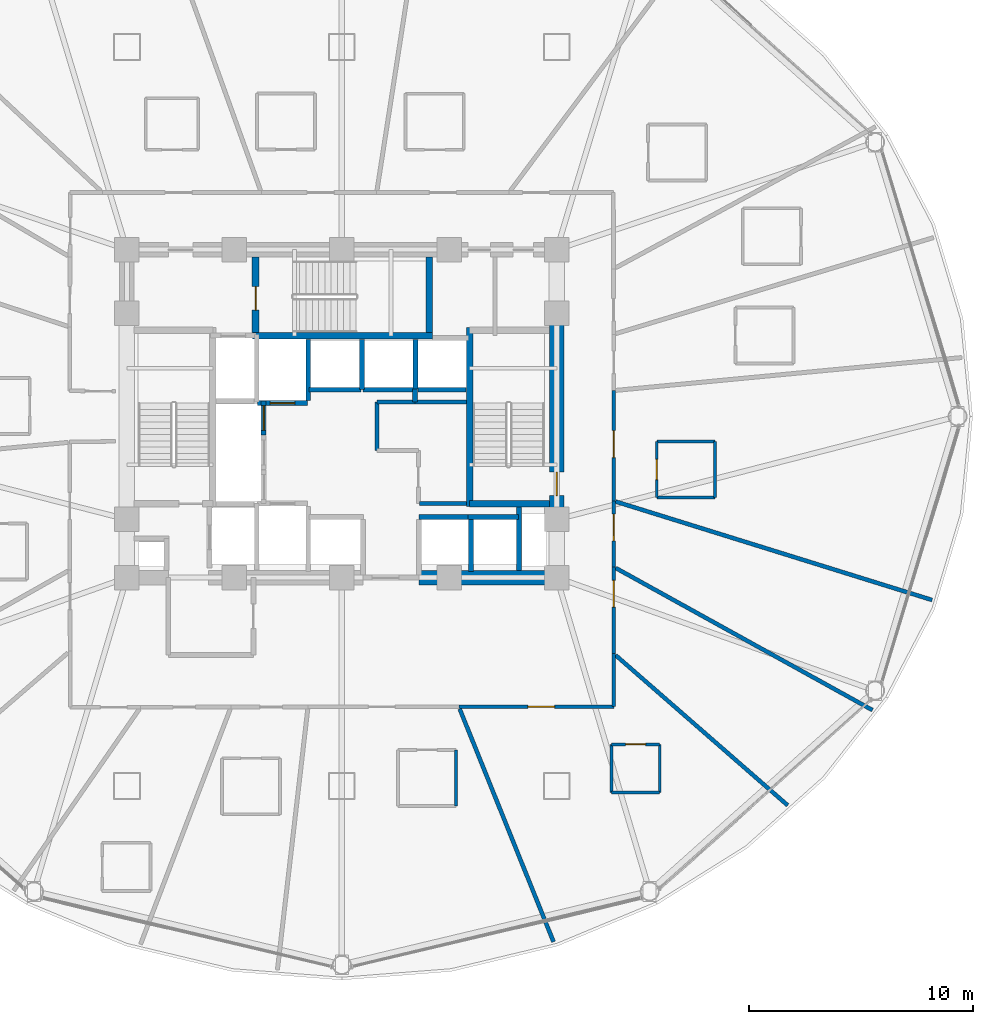
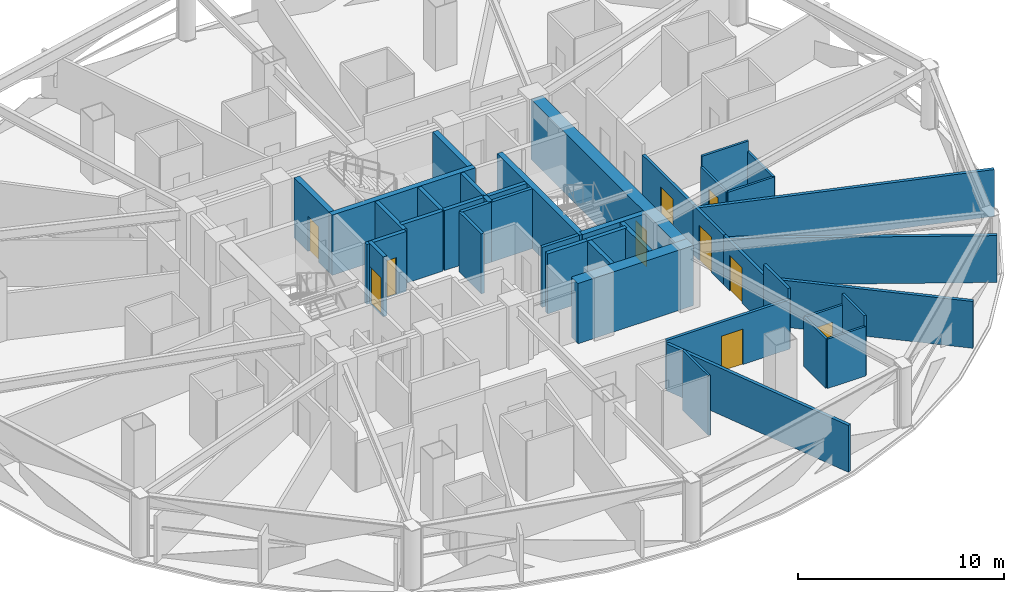
# One storey, part 23 of 30: 42 walls, 10 doors, 10 openings.
"""IFC4 building model written with IfcOpenShell, lengths in metres."""

from ifc_helpers import new_model, si_unit, direction, frame, frame_2d, origin, place, context, subcontext, project, spatial, rectangle, extrude, material, layer, layer_set, type_object, element, fill, save


model = new_model("IFC4")

# Units and contexts
model_context = context("Model", 3, precision=1e-05, world=origin(), true_north=direction((0.0, 1.0)))
body_context = subcontext(model_context, "Body", "Model", "MODEL_VIEW")
ifc_project = project(units=[si_unit("LENGTHUNIT", "METRE"), si_unit("AREAUNIT", "SQUARE_METRE"), si_unit("VOLUMEUNIT", "CUBIC_METRE"), si_unit("PLANEANGLEUNIT", "RADIAN"), si_unit("MASSUNIT", "GRAM", prefix="KILO")], contexts=[model_context])

# Site, building, storey
site_placement = place(None, origin())
site = spatial("IfcSite", under=ifc_project, at=site_placement, CompositionType="ELEMENT")
building_placement = place(site_placement, origin())
building = spatial("IfcBuilding", under=site, at=building_placement, Name="Vantalir Tower", CompositionType="ELEMENT")
storey_placement = place(building_placement, frame((0.0, 0.0, 83.25)))
storey = spatial("IfcBuildingStorey", under=building, at=storey_placement, Name="L20", CompositionType="ELEMENT", Elevation=83.25)

# Walls
ifc_material_1 = material(Name="Moisture-resistant en-suite partition", Category="gypsum")
ifc_layer_1 = layer(ifc_material_1, 0.125)
ifc_layer_set_1 = layer_set([ifc_layer_1], Name="Moisture-resistant en-suite partition")
wall_type_1 = type_object("IfcWallType", Name="WL-BATH-125", PredefinedType="PARTITIONING", material=ifc_layer_set_1)
wall_1_placement = place(storey_placement, frame((36.60302734375, 7.60595703125, 0.0), z_axis=(0.0, 0.0, 1.0), x_axis=(0.0, 1.0, 0.0)))
element("IfcWall", 1, at=wall_1_placement, inside=storey, type_object=wall_type_1, Name="L20 En-suite 15 East Wall", PredefinedType="PARTITIONING", context=body_context, shape_type="SweptSolid", body=[
    extrude(rectangle(XDim=2.5, YDim=0.125, at=frame_2d((1.25, 0.0))), origin(), (0.0, 0.0, 1.0), 3.550048828125),
])
wall_2_placement = place(storey_placement, frame((43.544921875, 8.201904296875, 0.0), z_axis=(0.0, 0.0, 1.0), x_axis=(1.0, 0.0, 0.0)))
element("IfcWall", 2, at=wall_2_placement, inside=storey, type_object=wall_type_1, Name="L20 En-suite 16 South Wall", PredefinedType="PARTITIONING", context=body_context, shape_type="SweptSolid", body=[
    extrude(rectangle(XDim=2.150146484375, YDim=0.125, at=frame_2d((1.0751953125, 0.0))), origin(), (0.0, 0.0, 1.0), 2.927978515625),
])

# Wall, opening, door
wall_3_placement = place(storey_placement, frame((43.544921875, 10.35205078125, 0.0), z_axis=(0.0, 0.0, 1.0), x_axis=(1.0, 0.0, 0.0)))
wall_3 = element("IfcWall", 3, at=wall_3_placement, inside=storey, type_object=wall_type_1, Name="L20 En-suite 16 North Wall", PredefinedType="PARTITIONING", context=body_context, shape_type="SweptSolid", body=[
    extrude(rectangle(XDim=2.150146484375, YDim=0.125, at=frame_2d((1.0751953125, 0.0))), origin(), (0.0, 0.0, 1.0), 2.927978515625),
])
opening_1_placement = place(wall_3_placement, frame((0.625, 0.0, 0.0)))
opening_1 = element("IfcOpeningElement", 4, at=opening_1_placement, cuts=wall_3, Name="Opening D-WC", PredefinedType="OPENING", context=body_context, shape_type="SweptSolid", body=[
    extrude(rectangle(XDim=0.89990234375, YDim=2.10009765625, at=frame_2d((0.449951171875, 1.050048828125))), frame((0.0, 0.072509765625, 0.0), z_axis=(0.0, -1.0, 0.0), x_axis=(1.0, 0.0, 0.0)), (0.0, 0.0, 1.0), 0.14501953125),
])
ifc_material_2 = material(Name="Moisture-resistant hardwood door", Category="wood")
door_type_1 = type_object("IfcDoorType", Name="DR-ENSUITE-900", OperationType="NOTDEFINED", PredefinedType="DOOR", material=ifc_material_2)
door_1_placement = place(opening_1_placement, frame((0.89990234375, 0.0, 0.0), z_axis=(0.0, 0.0, 1.0), x_axis=(-1.0, 0.0, 0.0)))
door_1 = element("IfcDoor", 5, at=door_1_placement, inside=storey, type_object=door_type_1, Name="L20 En-suite 16 Door", OperationType="SINGLE_SWING_LEFT", OverallHeight=2.10009765625, OverallWidth=0.89990234375, PredefinedType="DOOR", context=body_context, shape_type="SweptSolid", body=[
    extrude(rectangle(XDim=0.89990234375, YDim=2.10009765625, at=frame_2d((0.449951171875, 1.050048828125))), frame((0.0, 0.02490234375, 0.0), z_axis=(0.0, -1.0, 0.0), x_axis=(1.0, 0.0, 0.0)), (0.0, 0.0, 1.0), 0.050048828125),
])
fill(opening_1, door_1)

# Walls
wall_4_placement = place(storey_placement, frame((43.544921875, 8.201904296875, 0.0), z_axis=(0.0, 0.0, 1.0), x_axis=(0.0, 1.0, 0.0)))
element("IfcWall", 6, at=wall_4_placement, inside=storey, type_object=wall_type_1, Name="L20 En-suite 16 West Wall", PredefinedType="PARTITIONING", context=body_context, shape_type="SweptSolid", body=[
    extrude(rectangle(XDim=2.150146484375, YDim=0.125, at=frame_2d((1.0751953125, 0.0))), origin(), (0.0, 0.0, 1.0), 2.927978515625),
])
wall_5_placement = place(storey_placement, frame((45.695068359375, 8.201904296875, 0.0), z_axis=(0.0, 0.0, 1.0), x_axis=(0.0, 1.0, 0.0)))
element("IfcWall", 7, at=wall_5_placement, inside=storey, type_object=wall_type_1, Name="L20 En-suite 16 East Wall", PredefinedType="PARTITIONING", context=body_context, shape_type="SweptSolid", body=[
    extrude(rectangle(XDim=2.150146484375, YDim=0.125, at=frame_2d((1.0751953125, 0.0))), origin(), (0.0, 0.0, 1.0), 3.550048828125),
])
wall_6_placement = place(storey_placement, frame((45.56689453125, 21.3798828125, 0.0), z_axis=(0.0, 0.0, 1.0), x_axis=(1.0, 0.0, 0.0)))
element("IfcWall", 8, at=wall_6_placement, inside=storey, type_object=wall_type_1, Name="L20 En-suite 19 South Wall", PredefinedType="PARTITIONING", context=body_context, shape_type="SweptSolid", body=[
    extrude(rectangle(XDim=2.60009765625, YDim=0.125, at=frame_2d((1.300048828125, 0.0))), origin(), (0.0, 0.0, 1.0), 2.927978515625),
])
wall_7_placement = place(storey_placement, frame((45.56689453125, 23.8798828125, 0.0), z_axis=(0.0, 0.0, 1.0), x_axis=(1.0, 0.0, 0.0)))
element("IfcWall", 9, at=wall_7_placement, inside=storey, type_object=wall_type_1, Name="L20 En-suite 19 North Wall", PredefinedType="PARTITIONING", context=body_context, shape_type="SweptSolid", body=[
    extrude(rectangle(XDim=2.60009765625, YDim=0.125, at=frame_2d((1.300048828125, 0.0))), origin(), (0.0, 0.0, 1.0), 3.550048828125),
])

# Wall, opening, door
wall_8_placement = place(storey_placement, frame((45.56689453125, 21.3798828125, 0.0), z_axis=(0.0, 0.0, 1.0), x_axis=(0.0, 1.0, 0.0)))
wall_8 = element("IfcWall", 10, at=wall_8_placement, inside=storey, type_object=wall_type_1, Name="L20 En-suite 19 West Wall", PredefinedType="PARTITIONING", context=body_context, shape_type="SweptSolid", body=[
    extrude(rectangle(XDim=2.5, YDim=0.125, at=frame_2d((1.25, 0.0))), origin(), (0.0, 0.0, 1.0), 2.927978515625),
])
opening_2_placement = place(wall_8_placement, frame((0.800048828125, 0.0, 0.0)))
opening_2 = element("IfcOpeningElement", 11, at=opening_2_placement, cuts=wall_8, Name="Opening D-WC", PredefinedType="OPENING", context=body_context, shape_type="SweptSolid", body=[
    extrude(rectangle(XDim=0.89990234375, YDim=2.10009765625, at=frame_2d((0.449951171875, 1.050048828125))), frame((0.0, 0.072509765625, 0.0), z_axis=(0.0, -1.0, 0.0), x_axis=(1.0, 0.0, 0.0)), (0.0, 0.0, 1.0), 0.14501953125),
])
door_2_placement = place(opening_2_placement, frame((0.89990234375, 0.0, 0.0), z_axis=(0.0, 0.0, 1.0), x_axis=(-1.0, 0.0, 0.0)))
door_2 = element("IfcDoor", 12, at=door_2_placement, inside=storey, type_object=door_type_1, Name="L20 En-suite 19 Door", OperationType="SINGLE_SWING_RIGHT", OverallHeight=2.10009765625, OverallWidth=0.89990234375, PredefinedType="DOOR", context=body_context, shape_type="SweptSolid", body=[
    extrude(rectangle(XDim=0.89990234375, YDim=2.10009765625, at=frame_2d((0.449951171875, 1.050048828125))), frame((0.0, 0.02490234375, 0.0), z_axis=(0.0, -1.0, 0.0), x_axis=(1.0, 0.0, 0.0)), (0.0, 0.0, 1.0), 0.050048828125),
])
fill(opening_2, door_2)

# Walls
wall_9_placement = place(storey_placement, frame((48.1669921875, 21.3798828125, 0.0), z_axis=(0.0, 0.0, 1.0), x_axis=(0.0, 1.0, 0.0)))
element("IfcWall", 13, at=wall_9_placement, inside=storey, type_object=wall_type_1, Name="L20 En-suite 19 East Wall", PredefinedType="PARTITIONING", context=body_context, shape_type="SweptSolid", body=[
    extrude(rectangle(XDim=2.5, YDim=0.125, at=frame_2d((1.25, 0.0))), origin(), (0.0, 0.0, 1.0), 2.927978515625),
])
ifc_material_3 = material(Name="Concrete C60/75", Category="concrete")
ifc_layer_2 = layer(ifc_material_3, 0.64990234375)
ifc_layer_set_2 = layer_set([ifc_layer_2], Name="Concrete C60/75")
wall_type_2 = type_object("IfcWallType", Name="WL-CORE-650", PredefinedType="SHEAR", material=ifc_layer_set_2)
wall_10_placement = place(storey_placement, frame((34.949951171875, 17.800048828125, 0.0), z_axis=(0.0, 0.0, 1.0), x_axis=(1.0, 0.0, 0.0)))
element("IfcWall", 14, at=wall_10_placement, inside=storey, type_object=wall_type_2, Name="L20 Core Shear Wall South-East", PredefinedType="SHEAR", context=body_context, shape_type="SweptSolid", body=[
    extrude(rectangle(XDim=6.47509765625, YDim=0.64990234375, at=frame_2d((3.237548828125, 0.0))), origin(), (0.0, 0.0, 1.0), 3.570068359375),
])

# Wall, opening, door
wall_11_placement = place(storey_placement, frame((41.10009765625, 18.125, 0.0), z_axis=(0.0, 0.0, 1.0), x_axis=(0.0, 1.0, 0.0)))
wall_11 = element("IfcWall", 15, at=wall_11_placement, inside=storey, type_object=wall_type_2, Name="L20 Core Shear Wall East", PredefinedType="SHEAR", context=body_context, shape_type="SweptSolid", body=[
    extrude(rectangle(XDim=14.0, YDim=0.64990234375, at=frame_2d((7.0, 0.0))), origin(), (0.0, 0.0, 1.0), 3.570068359375),
])
opening_3_placement = place(wall_11_placement, frame((3.3349609375, 0.0, 0.0)))
opening_3 = element("IfcOpeningElement", 16, at=opening_3_placement, cuts=wall_11, Name="Opening D-ST", PredefinedType="OPENING", context=body_context, shape_type="SweptSolid", body=[
    extrude(rectangle(XDim=1.050048828125, YDim=2.10009765625, at=frame_2d((0.52490234375, 1.050048828125))), frame((0.0, 0.3349609375, 0.0), z_axis=(0.0, -1.0, 0.0), x_axis=(1.0, 0.0, 0.0)), (0.0, 0.0, 1.0), 0.669921875),
])
ifc_material_4 = material(Name="Fire-rated steel door leaf", Category="steel")
door_type_2 = type_object("IfcDoorType", Name="DR-FIRE-STAIR-1050", OperationType="NOTDEFINED", PredefinedType="DOOR", material=ifc_material_4)
door_3_placement = place(opening_3_placement, origin())
door_3 = element("IfcDoor", 17, at=door_3_placement, inside=storey, type_object=door_type_2, Name="L20 Exit Stair ST2 Fire Door", OperationType="SINGLE_SWING_LEFT", OverallHeight=2.10009765625, OverallWidth=1.050048828125, PredefinedType="DOOR", context=body_context, shape_type="SweptSolid", body=[
    extrude(rectangle(XDim=1.050048828125, YDim=2.10009765625, at=frame_2d((0.52490234375, 1.050048828125))), frame((0.0, 0.02490234375, 0.0), z_axis=(0.0, -1.0, 0.0), x_axis=(1.0, 0.0, 0.0)), (0.0, 0.0, 1.0), 0.050048828125),
])
fill(opening_3, door_3)

ifc_material_5 = material(Name="Fire-rated hotel corridor acoustic partition", Category="gypsum")
ifc_layer_3 = layer(ifc_material_5, 0.159912109375)
ifc_layer_set_3 = layer_set([ifc_layer_3], Name="Fire-rated hotel corridor acoustic partition")
wall_type_3 = type_object("IfcWallType", Name="WL-CORR-160", PredefinedType="PARTITIONING", material=ifc_layer_set_3)
wall_12_placement = place(storey_placement, frame((43.637939453125, 26.152099609375, 0.0), z_axis=(0.0, 0.0, 1.0), x_axis=(0.000644042472, -0.999999792605, 0.0)))
wall_12 = element("IfcWall", 18, at=wall_12_placement, inside=storey, type_object=wall_type_3, Name="L20 Corridor Partition 13", PredefinedType="PARTITIONING", context=body_context, shape_type="SweptSolid", body=[
    extrude(rectangle(XDim=4.927978515625, YDim=0.159912109375, at=frame_2d((2.4638671875, 0.0))), origin(), (0.0, 0.0, 1.0), 2.927978515625),
])
opening_4_placement = place(wall_12_placement, frame((1.7900390625, 0.0, 0.0)))
opening_4 = element("IfcOpeningElement", 19, at=opening_4_placement, cuts=wall_12, Name="Opening D-STE", PredefinedType="OPENING", context=body_context, shape_type="SweptSolid", body=[
    extrude(rectangle(XDim=1.199951171875, YDim=2.10009765625, at=frame_2d((0.60009765625, 1.050048828125))), frame((0.0, 0.08984375, 0.0), z_axis=(0.0, -1.0, 0.0), x_axis=(1.0, 0.0, 0.0)), (0.0, 0.0, 1.0), 0.179931640625),
])
ifc_material_6 = material(Name="Solid-core teak veneer suite entrance door", Category="wood")
door_type_3 = type_object("IfcDoorType", Name="DR-SUITE-ENTRY-1200", OperationType="NOTDEFINED", PredefinedType="DOOR", material=ifc_material_6)
door_4_placement = place(opening_4_placement, origin())
door_4 = element("IfcDoor", 20, at=door_4_placement, inside=storey, type_object=door_type_3, Name="L20 Executive Club Hotel Suite 19 Door", OperationType="SINGLE_SWING_RIGHT", OverallHeight=2.10009765625, OverallWidth=1.199951171875, PredefinedType="DOOR", context=body_context, shape_type="SweptSolid", body=[
    extrude(rectangle(XDim=1.199951171875, YDim=2.10009765625, at=frame_2d((0.60009765625, 1.050048828125))), frame((0.0, 0.02490234375, 0.0), z_axis=(0.0, -1.0, 0.0), x_axis=(1.0, 0.0, 0.0)), (0.0, 0.0, 1.0), 0.050048828125),
])
fill(opening_4, door_4)

wall_13_placement = place(storey_placement, frame((43.64111328125, 21.22412109375, 0.0), z_axis=(0.0, 0.0, 1.0), x_axis=(0.0006631848, -0.999999780093, 0.0)))
wall_13 = element("IfcWall", 21, at=wall_13_placement, inside=storey, type_object=wall_type_3, Name="L20 Corridor Partition 14", PredefinedType="PARTITIONING", context=body_context, shape_type="SweptSolid", body=[
    extrude(rectangle(XDim=2.945068359375, YDim=0.159912109375, at=frame_2d((1.47265625, 0.0))), origin(), (0.0, 0.0, 1.0), 2.927978515625),
])
opening_5_placement = place(wall_13_placement, frame((0.587890625, 0.0, 0.0)))
opening_5 = element("IfcOpeningElement", 22, at=opening_5_placement, cuts=wall_13, Name="Opening D-STE", PredefinedType="OPENING", context=body_context, shape_type="SweptSolid", body=[
    extrude(rectangle(XDim=1.199951171875, YDim=2.10009765625, at=frame_2d((0.60009765625, 1.050048828125))), frame((0.0, 0.08984375, 0.0), z_axis=(0.0, -1.0, 0.0), x_axis=(1.0, 0.0, 0.0)), (0.0, 0.0, 1.0), 0.179931640625),
])
door_5_placement = place(opening_5_placement, origin())
door_5 = element("IfcDoor", 23, at=door_5_placement, inside=storey, type_object=door_type_3, Name="L20 Executive Sky Boardroom 18 Door", OperationType="SINGLE_SWING_LEFT", OverallHeight=2.10009765625, OverallWidth=1.199951171875, PredefinedType="DOOR", context=body_context, shape_type="SweptSolid", body=[
    extrude(rectangle(XDim=1.199951171875, YDim=2.10009765625, at=frame_2d((0.60009765625, 1.050048828125))), frame((0.0, 0.02490234375, 0.0), z_axis=(0.0, -1.0, 0.0), x_axis=(1.0, 0.0, 0.0)), (0.0, 0.0, 1.0), 0.050048828125),
])
fill(opening_5, door_5)

wall_14_placement = place(storey_placement, frame((43.64306640625, 18.279052734375, 0.0), z_axis=(0.0, 0.0, 1.0), x_axis=(0.000756429436, -0.999999713907, 0.0)))
wall_14 = element("IfcWall", 24, at=wall_14_placement, inside=storey, type_object=wall_type_3, Name="L20 Corridor Partition 15", PredefinedType="PARTITIONING", context=body_context, shape_type="SweptSolid", body=[
    extrude(rectangle(XDim=3.873046875, YDim=0.159912109375, at=frame_2d((1.9365234375, 0.0))), origin(), (0.0, 0.0, 1.0), 2.927978515625),
])
opening_6_placement = place(wall_14_placement, frame((0.60107421875, 0.0, 0.0)))
opening_6 = element("IfcOpeningElement", 25, at=opening_6_placement, cuts=wall_14, Name="Opening D-STE", PredefinedType="OPENING", context=body_context, shape_type="SweptSolid", body=[
    extrude(rectangle(XDim=1.199951171875, YDim=2.10009765625, at=frame_2d((0.60009765625, 1.050048828125))), frame((0.0, 0.08984375, 0.0), z_axis=(0.0, -1.0, 0.0), x_axis=(1.0, 0.0, 0.0)), (0.0, 0.0, 1.0), 0.179931640625),
])
door_6_placement = place(opening_6_placement, origin())
door_6 = element("IfcDoor", 26, at=door_6_placement, inside=storey, type_object=door_type_3, Name="L20 Club Reading Lounge 17 Door", OperationType="SINGLE_SWING_RIGHT", OverallHeight=2.10009765625, OverallWidth=1.199951171875, PredefinedType="DOOR", context=body_context, shape_type="SweptSolid", body=[
    extrude(rectangle(XDim=1.199951171875, YDim=2.10009765625, at=frame_2d((0.60009765625, 1.050048828125))), frame((0.0, 0.02490234375, 0.0), z_axis=(0.0, -1.0, 0.0), x_axis=(1.0, 0.0, 0.0)), (0.0, 0.0, 1.0), 0.050048828125),
])
fill(opening_6, door_6)

# Wall
wall_15_placement = place(storey_placement, frame((43.64599609375, 14.406005859375, 0.0), z_axis=(0.0, 0.0, 1.0), x_axis=(0.00082338383, -0.999999661019, 0.0)))
element("IfcWall", 27, at=wall_15_placement, inside=storey, type_object=wall_type_3, Name="L20 Corridor Partition 16", PredefinedType="PARTITIONING", context=body_context, shape_type="SweptSolid", body=[
    extrude(rectangle(XDim=2.3720703125, YDim=0.159912109375, at=frame_2d((1.18603515625, 0.0))), origin(), (0.0, 0.0, 1.0), 3.550048828125),
])

# Wall, opening, door
wall_16_placement = place(storey_placement, frame((43.64794921875, 12.033935546875, 0.0), z_axis=(0.0, 0.0, 1.0), x_axis=(-0.999999751123, -0.000705516968, 0.0)))
wall_16 = element("IfcWall", 28, at=wall_16_placement, inside=storey, type_object=wall_type_3, Name="L20 Corridor Partition 17", PredefinedType="PARTITIONING", context=body_context, shape_type="SweptSolid", body=[
    extrude(rectangle(XDim=6.9208984375, YDim=0.159912109375, at=frame_2d((3.46044921875, 0.0))), origin(), (0.0, 0.0, 1.0), 2.927978515625),
])
opening_7_placement = place(wall_16_placement, frame((2.64208984375, 0.0, 0.0)))
opening_7 = element("IfcOpeningElement", 29, at=opening_7_placement, cuts=wall_16, Name="Opening D-STE", PredefinedType="OPENING", context=body_context, shape_type="SweptSolid", body=[
    extrude(rectangle(XDim=1.199951171875, YDim=2.10009765625, at=frame_2d((0.60009765625, 1.050048828125))), frame((0.0, 0.08984375, 0.0), z_axis=(0.0, -1.0, 0.0), x_axis=(1.0, 0.0, 0.0)), (0.0, 0.0, 1.0), 0.179931640625),
])
door_7_placement = place(opening_7_placement, origin())
door_7 = element("IfcDoor", 30, at=door_7_placement, inside=storey, type_object=door_type_3, Name="L20 Executive Club Hotel Suite 16 Door", OperationType="SINGLE_SWING_LEFT", OverallHeight=2.10009765625, OverallWidth=1.199951171875, PredefinedType="DOOR", context=body_context, shape_type="SweptSolid", body=[
    extrude(rectangle(XDim=1.199951171875, YDim=2.10009765625, at=frame_2d((0.60009765625, 1.050048828125))), frame((0.0, 0.02490234375, 0.0), z_axis=(0.0, -1.0, 0.0), x_axis=(1.0, 0.0, 0.0)), (0.0, 0.0, 1.0), 0.050048828125),
])
fill(opening_7, door_7)

# Walls
ifc_material_7 = material(Name="Concrete blockwork with fireboard lining", Category="masonry")
ifc_layer_4 = layer(ifc_material_7, 0.219970703125)
ifc_layer_set_4 = layer_set([ifc_layer_4], Name="Concrete blockwork with fireboard lining")
wall_type_4 = type_object("IfcWallType", Name="WL-FFL-220", PredefinedType="PARTITIONING", material=ifc_layer_set_4)
wall_17_placement = place(storey_placement, frame((37.27490234375, 18.080078125, 0.0), z_axis=(0.0, 0.0, 1.0), x_axis=(0.0, 1.0, 0.0)))
element("IfcWall", 31, at=wall_17_placement, inside=storey, type_object=wall_type_4, Name="L20 Shuttle Lift PL-X2/X3 Shaft Divider", PredefinedType="PARTITIONING", context=body_context, shape_type="SweptSolid", body=[
    extrude(rectangle(XDim=2.309814453125, YDim=0.219970703125, at=frame_2d((1.15478515625, 0.0))), origin(), (0.0, 0.0, 1.0), 3.544921875),
])
wall_18_placement = place(storey_placement, frame((30.0, 25.7099609375, 0.0), z_axis=(0.0, 0.0, 1.0), x_axis=(0.0, 1.0, 0.0)))
element("IfcWall", 32, at=wall_18_placement, inside=storey, type_object=wall_type_4, Name="L20 Service Lift SV2 East Shaft Wall", PredefinedType="PARTITIONING", context=body_context, shape_type="SweptSolid", body=[
    extrude(rectangle(XDim=2.72998046875, YDim=0.219970703125, at=frame_2d((1.364990234375, 0.0))), origin(), (0.0, 0.0, 1.0), 3.544921875),
])
wall_19_placement = place(storey_placement, frame((32.39990234375, 26.199951171875, 0.0), z_axis=(0.0, 0.0, 1.0), x_axis=(0.0, 1.0, 0.0)))
element("IfcWall", 33, at=wall_19_placement, inside=storey, type_object=wall_type_4, Name="L20 High-Rise Lift PL-H1/H2 Shaft Divider", PredefinedType="PARTITIONING", context=body_context, shape_type="SweptSolid", body=[
    extrude(rectangle(XDim=2.239990234375, YDim=0.219970703125, at=frame_2d((1.1201171875, 0.0))), origin(), (0.0, 0.0, 1.0), 3.544921875),
])
wall_20_placement = place(storey_placement, frame((34.800048828125, 26.22998046875, 0.0), z_axis=(0.0, 0.0, 1.0), x_axis=(0.0, 1.0, 0.0)))
element("IfcWall", 34, at=wall_20_placement, inside=storey, type_object=wall_type_4, Name="L20 High-Rise Lift PL-H2/H3 Shaft Divider", PredefinedType="PARTITIONING", context=body_context, shape_type="SweptSolid", body=[
    extrude(rectangle(XDim=2.2099609375, YDim=0.219970703125, at=frame_2d((1.10498046875, 0.0))), origin(), (0.0, 0.0, 1.0), 3.544921875),
])
wall_21_placement = place(storey_placement, frame((34.909912109375, 26.18994140625, 0.0), z_axis=(0.0, 0.0, 1.0), x_axis=(1.0, 0.0, 0.0)))
element("IfcWall", 35, at=wall_21_placement, inside=storey, type_object=wall_type_4, Name="L20 High-Rise Lift PL-H3 Rear Shaft Wall", PredefinedType="PARTITIONING", context=body_context, shape_type="SweptSolid", body=[
    extrude(rectangle(XDim=2.14013671875, YDim=0.219970703125, at=frame_2d((1.070068359375, 0.0))), origin(), (0.0, 0.0, 1.0), 3.544921875),
])
wall_22_placement = place(storey_placement, frame((39.419921875, 18.125, 0.0), z_axis=(0.0, 0.0, 1.0), x_axis=(0.0, 1.0, 0.0)))
element("IfcWall", 36, at=wall_22_placement, inside=storey, type_object=wall_type_4, Name="L20 East MEP Riser Wall W", PredefinedType="PARTITIONING", context=body_context, shape_type="SweptSolid", body=[
    extrude(rectangle(XDim=2.824951171875, YDim=0.219970703125, at=frame_2d((1.41259765625, 0.0))), origin(), (0.0, 0.0, 1.0), 3.550048828125),
])

# Wall, opening, door
wall_23_placement = place(storey_placement, frame((27.739990234375, 25.590087890625, 0.0), z_axis=(0.0, 0.0, 1.0), x_axis=(1.0, 0.0, 0.0)))
wall_23 = element("IfcWall", 37, at=wall_23_placement, inside=storey, type_object=wall_type_4, Name="L20 Lift SV2 Shaft Front Wall", PredefinedType="PARTITIONING", context=body_context, shape_type="SweptSolid", body=[
    extrude(rectangle(XDim=2.219970703125, YDim=0.219970703125, at=frame_2d((1.10986328125, 0.0))), origin(), (0.0, 0.0, 1.0), 3.550048828125),
])
opening_8_placement = place(wall_23_placement, frame((0.56005859375, 0.0, 0.0)))
opening_8 = element("IfcOpeningElement", 38, at=opening_8_placement, cuts=wall_23, Name="Opening LD-SV2", PredefinedType="OPENING", context=body_context, shape_type="SweptSolid", body=[
    extrude(rectangle(XDim=1.10009765625, YDim=2.199951171875, at=frame_2d((0.550048828125, 1.10009765625))), frame((0.0, 0.119873046875, 0.0), z_axis=(0.0, -1.0, 0.0), x_axis=(1.0, 0.0, 0.0)), (0.0, 0.0, 1.0), 0.239990234375),
])
ifc_material_8 = material(Name="Brushed stainless-steel sliding lift landing door", Category="steel")
door_type_4 = type_object("IfcDoorType", Name="DR-LIFT-LANDING-1100", OperationType="DOUBLE_DOOR_SLIDING", PredefinedType="DOOR", material=ifc_material_8)
door_8_placement = place(opening_8_placement, frame((1.10009765625, 0.0, 0.0), z_axis=(0.0, 0.0, 1.0), x_axis=(-1.0, 0.0, 0.0)))
door_8 = element("IfcDoor", 39, at=door_8_placement, inside=storey, type_object=door_type_4, Name="L20 Lift Landing Door SV2", OperationType="DOUBLE_DOOR_SLIDING", OverallHeight=2.199951171875, OverallWidth=1.10009765625, PredefinedType="DOOR", context=body_context, shape_type="SweptSolid", body=[
    extrude(rectangle(XDim=1.10009765625, YDim=2.199951171875, at=frame_2d((0.550048828125, 1.10009765625))), frame((0.0, 0.02490234375, 0.0), z_axis=(0.0, -1.0, 0.0), x_axis=(1.0, 0.0, 0.0)), (0.0, 0.0, 1.0), 0.050048828125),
])
fill(opening_8, door_8)

# Walls
for number, where, z_axis, x_axis, name in (
    (40, (37.139892578125, 20.510009765625, 0.0), (0.0, 0.0, 1.0), (1.0, 0.0, 0.0), "L20 Lift PL-X2 Shaft Rear Wall"),
    (41, (34.93994140625, 20.510009765625, 0.0), (0.0, 0.0, 1.0), (1.0, 0.0, 0.0), "L20 Lift PL-X3 Shaft Front Wall"),
):
    element("IfcWall", number, at=place(storey_placement, frame(where, z_axis=z_axis, x_axis=x_axis)), inside=storey, type_object=wall_type_4, Name=name, PredefinedType="PARTITIONING", context=body_context, shape_type="SweptSolid", body=[
        extrude(rectangle(XDim=2.239990234375, YDim=0.219970703125, at=frame_2d((1.1201171875, 0.0))), origin(), (0.0, 0.0, 1.0), 3.550048828125),
    ])
for number, where, z_axis, x_axis, name in (
    (42, (30.0400390625, 26.18994140625, 0.0), (0.0, 0.0, 1.0), (1.0, 0.0, 0.0), "L20 Lift PL-H1 Shaft Front Wall"),
    (43, (32.43994140625, 26.18994140625, 0.0), (0.0, 0.0, 1.0), (1.0, 0.0, 0.0), "L20 Lift PL-H2 Shaft Front Wall"),
):
    element("IfcWall", number, at=place(storey_placement, frame(where, z_axis=z_axis, x_axis=x_axis)), inside=storey, type_object=wall_type_4, Name=name, PredefinedType="PARTITIONING", context=body_context, shape_type="SweptSolid", body=[
        extrude(rectangle(XDim=2.320068359375, YDim=0.219970703125, at=frame_2d((1.16015625, 0.0))), origin(), (0.0, 0.0, 1.0), 3.550048828125),
    ])

# Wall, opening, door
wall_24_placement = place(storey_placement, frame((28.010009765625, 24.179931640625, 0.0), z_axis=(0.0, 0.0, 1.0), x_axis=(0.0, 1.0, 0.0)))
wall_24 = element("IfcWall", 44, at=wall_24_placement, inside=storey, type_object=wall_type_4, Name="L20 Lift PL-L3 Shaft Front Wall", PredefinedType="PARTITIONING", context=body_context, shape_type="SweptSolid", body=[
    extrude(rectangle(XDim=1.5, YDim=0.219970703125, at=frame_2d((0.75, 0.0))), origin(), (0.0, 0.0, 1.0), 3.550048828125),
])
opening_9_placement = place(wall_24_placement, frame((0.199951171875, 0.0, 0.0)))
opening_9 = element("IfcOpeningElement", 45, at=opening_9_placement, cuts=wall_24, Name="Opening LD-PL-L3", PredefinedType="OPENING", context=body_context, shape_type="SweptSolid", body=[
    extrude(rectangle(XDim=1.10009765625, YDim=2.199951171875, at=frame_2d((0.550048828125, 1.10009765625))), frame((0.0, 0.119873046875, 0.0), z_axis=(0.0, -1.0, 0.0), x_axis=(1.0, 0.0, 0.0)), (0.0, 0.0, 1.0), 0.239990234375),
])
door_9_placement = place(opening_9_placement, frame((1.10009765625, 0.0, 0.0), z_axis=(0.0, 0.0, 1.0), x_axis=(-1.0, 0.0, 0.0)))
door_9 = element("IfcDoor", 46, at=door_9_placement, inside=storey, type_object=door_type_4, Name="L20 Lift Landing Door PL-L3", OperationType="DOUBLE_DOOR_SLIDING", OverallHeight=2.199951171875, OverallWidth=1.10009765625, PredefinedType="DOOR", context=body_context, shape_type="SweptSolid", body=[
    extrude(rectangle(XDim=1.10009765625, YDim=2.199951171875, at=frame_2d((0.550048828125, 1.10009765625))), frame((0.0, 0.02490234375, 0.0), z_axis=(0.0, -1.0, 0.0), x_axis=(1.0, 0.0, 0.0)), (0.0, 0.0, 1.0), 0.050048828125),
])
fill(opening_9, door_9)

# Walls
wall_25_placement = place(storey_placement, frame((34.760009765625, 25.64990234375, 0.0), z_axis=(0.0, 0.0, 1.0), x_axis=(0.0, 1.0, 0.0)))
element("IfcWall", 47, at=wall_25_placement, inside=storey, type_object=wall_type_4, Name="L20 High-Rise Shaft Shoulder Wall", PredefinedType="PARTITIONING", context=body_context, shape_type="SweptSolid", body=[
    extrude(rectangle(XDim=0.570068359375, YDim=0.219970703125, at=frame_2d((0.28515625, 0.0))), origin(), (0.0, 0.0, 1.0), 3.550048828125),
])
ifc_material_9 = material(Name="Twin-stud acoustic fire-rated gypsum partition", Category="gypsum")
ifc_layer_5 = layer(ifc_material_9, 0.179931640625)
ifc_layer_set_5 = layer_set([ifc_layer_5], Name="Twin-stud acoustic fire-rated gypsum partition")
wall_type_5 = type_object("IfcWallType", Name="WL-GUEST-180", PredefinedType="PARTITIONING", material=ifc_layer_set_5)
wall_26_placement = place(storey_placement, frame((34.97998046875, 21.10009765625, 0.0), z_axis=(0.0, 0.0, 1.0), x_axis=(1.0, 0.0, 0.0)))
element("IfcWall", 48, at=wall_26_placement, inside=storey, type_object=wall_type_5, Name="L20 Freed East Core South Wall", PredefinedType="PARTITIONING", context=body_context, shape_type="SweptSolid", body=[
    extrude(rectangle(XDim=2.080078125, YDim=0.179931640625, at=frame_2d((1.0400390625, 0.0))), origin(), (0.0, 0.0, 1.0), 3.550048828125),
])
wall_27_placement = place(storey_placement, frame((34.719970703125, 25.64990234375, 0.0), z_axis=(0.0, 0.0, 1.0), x_axis=(1.0, 0.0, 0.0)))
element("IfcWall", 49, at=wall_27_placement, inside=storey, type_object=wall_type_5, Name="L20 Freed East Core North Wall", PredefinedType="PARTITIONING", context=body_context, shape_type="SweptSolid", body=[
    extrude(rectangle(XDim=2.340087890625, YDim=0.179931640625, at=frame_2d((1.169921875, 0.0))), origin(), (0.0, 0.0, 1.0), 3.550048828125),
])
wall_28_placement = place(storey_placement, frame((33.080078125, 25.64990234375, 0.0), z_axis=(0.0, 0.0, 1.0), x_axis=(1.0, 0.0, 0.0)))
element("IfcWall", 50, at=wall_28_placement, inside=storey, type_object=wall_type_5, Name="L20 East Core Alcove North Wall", PredefinedType="PARTITIONING", context=body_context, shape_type="SweptSolid", body=[
    extrude(rectangle(XDim=1.679931640625, YDim=0.179931640625, at=frame_2d((0.83984375, 0.0))), origin(), (0.0, 0.0, 1.0), 3.550048828125),
])
wall_29_placement = place(storey_placement, frame((33.080078125, 23.47998046875, 0.0), z_axis=(0.0, 0.0, 1.0), x_axis=(0.0, 1.0, 0.0)))
element("IfcWall", 51, at=wall_29_placement, inside=storey, type_object=wall_type_5, Name="L20 East Core Alcove West Wall", PredefinedType="PARTITIONING", context=body_context, shape_type="SweptSolid", body=[
    extrude(rectangle(XDim=2.169921875, YDim=0.179931640625, at=frame_2d((1.0849609375, 0.0))), origin(), (0.0, 0.0, 1.0), 3.550048828125),
])
wall_30_placement = place(storey_placement, frame((36.763916015625, 11.93798828125, 0.0), z_axis=(0.0, 0.0, 1.0), x_axis=(0.373765091029, -0.927523399558, 0.0)))
element("IfcWall", 52, at=wall_30_placement, inside=storey, type_object=wall_type_5, Name="L20 Radial Suite Partition 16", PredefinedType="PARTITIONING", context=body_context, shape_type="SweptSolid", body=[
    extrude(rectangle(XDim=11.216064453125, YDim=0.179931640625, at=frame_2d((5.60791015625, 0.0))), origin(), (0.0, 0.0, 1.0), 2.77490234375),
])
wall_31_placement = place(storey_placement, frame((43.72802734375, 14.3349609375, 0.0), z_axis=(0.0, 0.0, 1.0), x_axis=(0.753557452015, -0.657382055211, 0.0)))
element("IfcWall", 53, at=wall_31_placement, inside=storey, type_object=wall_type_5, Name="L20 Radial Suite Partition 17", PredefinedType="PARTITIONING", context=body_context, shape_type="SweptSolid", body=[
    extrude(rectangle(XDim=10.19970703125, YDim=0.179931640625, at=frame_2d((5.099853515625, 0.0))), origin(), (0.0, 0.0, 1.0), 2.77490234375),
])
wall_32_placement = place(storey_placement, frame((43.72802734375, 18.23193359375, 0.0), z_axis=(0.0, 0.0, 1.0), x_axis=(0.874929134989, -0.484250977022, 0.0)))
element("IfcWall", 54, at=wall_32_placement, inside=storey, type_object=wall_type_5, Name="L20 Radial Suite Partition 18", PredefinedType="PARTITIONING", context=body_context, shape_type="SweptSolid", body=[
    extrude(rectangle(XDim=13.110595703125, YDim=0.179931640625, at=frame_2d((6.55517578125, 0.0))), origin(), (0.0, 0.0, 1.0), 2.77490234375),
])
wall_33_placement = place(storey_placement, frame((43.72802734375, 21.197021484375, 0.0), z_axis=(0.0, 0.0, 1.0), x_axis=(0.954873823144, -0.297011753766, 0.0)))
element("IfcWall", 55, at=wall_33_placement, inside=storey, type_object=wall_type_5, Name="L20 Radial Suite Partition 19", PredefinedType="PARTITIONING", context=body_context, shape_type="SweptSolid", body=[
    extrude(rectangle(XDim=14.803955078125, YDim=0.179931640625, at=frame_2d((7.40185546875, 0.0))), origin(), (0.0, 0.0, 1.0), 2.77490234375),
])
ifc_material_10 = material(Name="Concrete C50/60", Category="concrete")
ifc_layer_6 = layer(ifc_material_10, 0.300048828125)
ifc_layer_set_6 = layer_set([ifc_layer_6], Name="Concrete C50/60")
wall_type_6 = type_object("IfcWallType", Name="WL-STAIR-300", PredefinedType="SHEAR", material=ifc_layer_set_6)
wall_34_placement = place(storey_placement, frame((37.2099609375, 21.10009765625, 0.0), z_axis=(0.0, 0.0, 1.0), x_axis=(1.0, 0.0, 0.0)))
element("IfcWall", 56, at=wall_34_placement, inside=storey, type_object=wall_type_6, Name="L20 Stair ST2 South Wall", PredefinedType="SHEAR", context=body_context, shape_type="SweptSolid", body=[
    extrude(rectangle(XDim=3.56494140625, YDim=0.300048828125, at=frame_2d((1.782470703125, 0.0))), origin(), (0.0, 0.0, 1.0), 3.570068359375),
])
wall_35_placement = place(storey_placement, frame((37.2099609375, 20.97998046875, 0.0), z_axis=(0.0, 0.0, 1.0), x_axis=(0.0, 1.0, 0.0)))
element("IfcWall", 57, at=wall_35_placement, inside=storey, type_object=wall_type_6, Name="L20 Stair ST2 West Wall", PredefinedType="SHEAR", context=body_context, shape_type="SweptSolid", body=[
    extrude(rectangle(XDim=7.989990234375, YDim=0.300048828125, at=frame_2d((3.9951171875, 0.0))), origin(), (0.0, 0.0, 1.0), 3.570068359375),
])
wall_36_placement = place(storey_placement, frame((27.510009765625, 28.60009765625, 0.0), z_axis=(0.0, 0.0, 1.0), x_axis=(1.0, 0.0, 0.0)))
element("IfcWall", 58, at=wall_36_placement, inside=storey, type_object=wall_type_6, Name="L20 Stair ST3 South Wall", PredefinedType="SHEAR", context=body_context, shape_type="SweptSolid", body=[
    extrude(rectangle(XDim=8.030029296875, YDim=0.300048828125, at=frame_2d((4.01513671875, 0.0))), origin(), (0.0, 0.0, 1.0), 3.570068359375),
])

# Wall, opening, door
wall_37_placement = place(storey_placement, frame((27.64990234375, 28.75, 0.0), z_axis=(0.0, 0.0, 1.0), x_axis=(0.0, 1.0, 0.0)))
wall_37 = element("IfcWall", 59, at=wall_37_placement, inside=storey, type_object=wall_type_6, Name="L20 Stair ST3 West Wall", PredefinedType="SHEAR", context=body_context, shape_type="SweptSolid", body=[
    extrude(rectangle(XDim=3.375, YDim=0.300048828125, at=frame_2d((1.6875, 0.0))), origin(), (0.0, 0.0, 1.0), 3.570068359375),
])
opening_10_placement = place(wall_37_placement, frame((1.0, 0.0, 0.0)))
opening_10 = element("IfcOpeningElement", 60, at=opening_10_placement, cuts=wall_37, Name="Opening D-ST", PredefinedType="OPENING", context=body_context, shape_type="SweptSolid", body=[
    extrude(rectangle(XDim=1.050048828125, YDim=2.10009765625, at=frame_2d((0.52490234375, 1.050048828125))), frame((0.0, 0.159912109375, 0.0), z_axis=(0.0, -1.0, 0.0), x_axis=(1.0, 0.0, 0.0)), (0.0, 0.0, 1.0), 0.320068359375),
])
door_10_placement = place(opening_10_placement, frame((1.050048828125, 0.0, 0.0), z_axis=(0.0, 0.0, 1.0), x_axis=(-1.0, 0.0, 0.0)))
door_10 = element("IfcDoor", 61, at=door_10_placement, inside=storey, type_object=door_type_2, Name="L20 Exit Stair ST3 Fire Door", OperationType="SINGLE_SWING_LEFT", OverallHeight=2.10009765625, OverallWidth=1.050048828125, PredefinedType="DOOR", context=body_context, shape_type="SweptSolid", body=[
    extrude(rectangle(XDim=1.050048828125, YDim=2.10009765625, at=frame_2d((0.52490234375, 1.050048828125))), frame((0.0, 0.02490234375, 0.0), z_axis=(0.0, -1.0, 0.0), x_axis=(1.0, 0.0, 0.0)), (0.0, 0.0, 1.0), 0.050048828125),
])
fill(opening_10, door_10)

# Wall
wall_38_placement = place(storey_placement, frame((35.39990234375, 28.75, 0.0), z_axis=(0.0, 0.0, 1.0), x_axis=(0.0, 1.0, 0.0)))
element("IfcWall", 62, at=wall_38_placement, inside=storey, type_object=wall_type_6, Name="L20 Stair ST3 East Wall", PredefinedType="SHEAR", context=body_context, shape_type="SweptSolid", body=[
    extrude(rectangle(XDim=3.375, YDim=0.300048828125, at=frame_2d((1.6875, 0.0))), origin(), (0.0, 0.0, 1.0), 3.570068359375),
])

save(model, "model.ifc")
